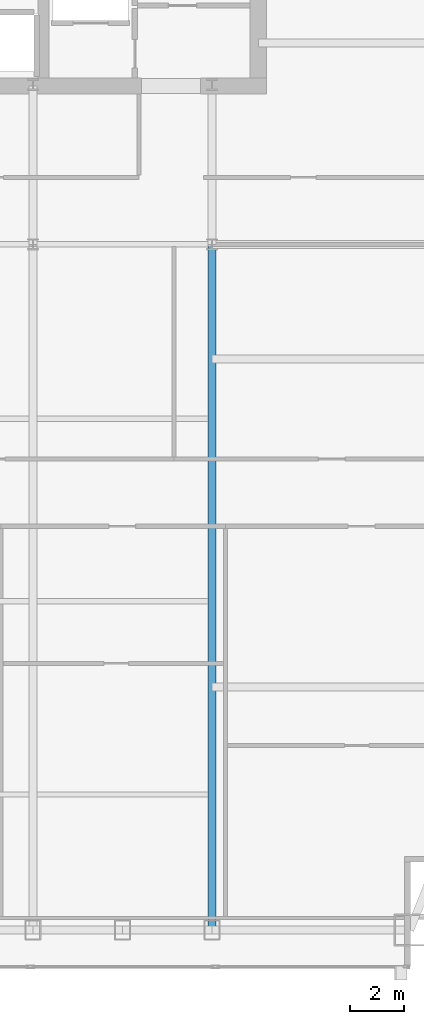
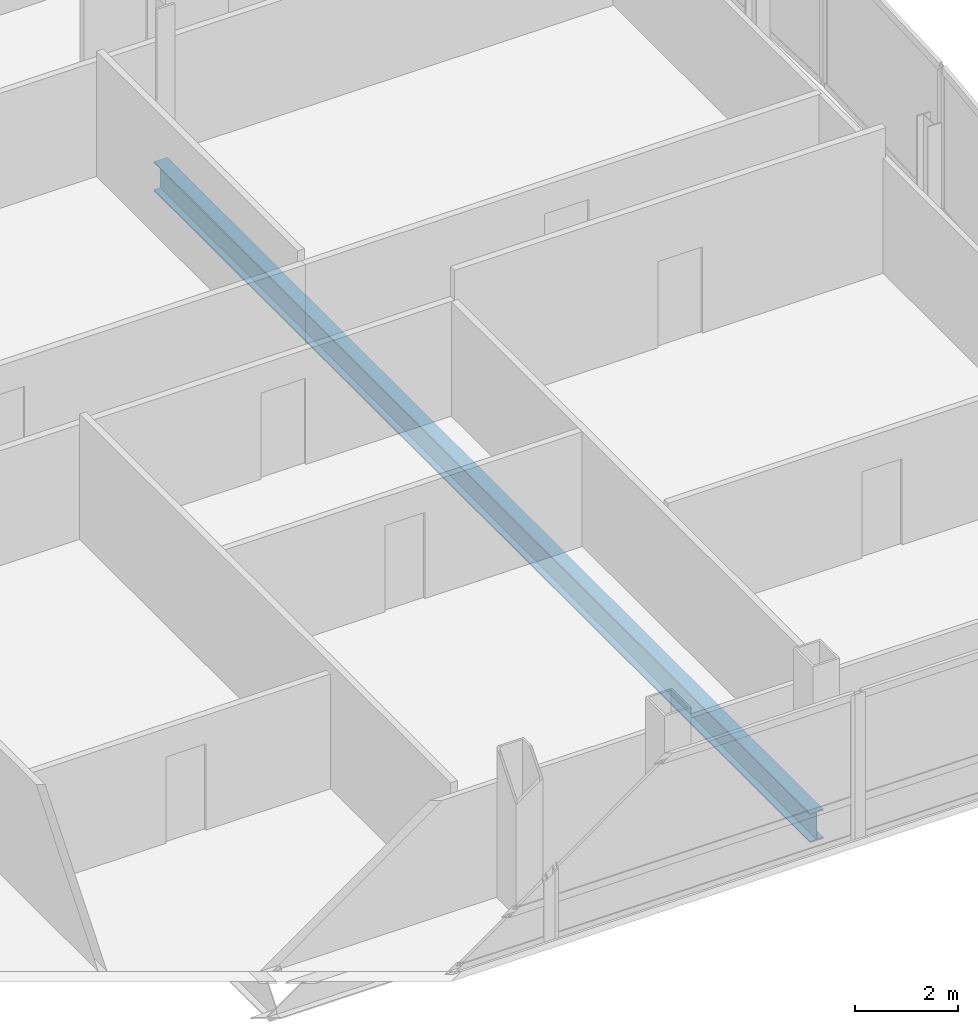
# One storey, part 17 of 32: 1 beam.
"""IFC4 building model written with IfcOpenShell, lengths in metres."""

from ifc_helpers import new_model, si_unit, direction, frame, origin, origin_2d, place, context, subcontext, project, spatial, i_section, extrude, material, material_profile, profile_set, type_object, element, save


model = new_model("IFC4")

# Units and contexts
model_context = context("Model", 3, precision=1e-05, world=origin(), true_north=direction((0.0, 1.0)))
body_context = subcontext(model_context, "Body", "Model", "MODEL_VIEW")
ifc_project = project(units=[si_unit("LENGTHUNIT", "METRE"), si_unit("AREAUNIT", "SQUARE_METRE"), si_unit("VOLUMEUNIT", "CUBIC_METRE"), si_unit("PLANEANGLEUNIT", "RADIAN"), si_unit("MASSUNIT", "GRAM", prefix="KILO")], contexts=[model_context])

# Site, building, storey
site_placement = place(None, origin())
site = spatial("IfcSite", under=ifc_project, at=site_placement, CompositionType="ELEMENT")
building_placement = place(site_placement, origin())
building = spatial("IfcBuilding", under=site, at=building_placement, Name="Khoronbel Lancet Exchange", CompositionType="ELEMENT")
storey_placement = place(building_placement, frame((0.0, 0.0, 192.199951171875)))
storey = spatial("IfcBuildingStorey", under=building, at=storey_placement, Name="L48", CompositionType="ELEMENT", Elevation=192.199951171875)

# Beam
ifc_material = material(Name="Steel S355", Category="steel")
ifc_material_profile = material_profile(ifc_material, i_section(OverallWidth=0.300048828125, OverallDepth=0.699951171875, WebThickness=0.01708984375, FlangeThickness=0.031982421875, at=origin_2d()), Name="HEB 700")
ifc_profile_set = profile_set([ifc_material_profile], Name="Steel S355")
beam_type = type_object("IfcBeamType", Name="BM-BG3", PredefinedType="BEAM", material=ifc_profile_set)
beam_placement = place(storey_placement, frame((54.675048828125, 10.14990234375, -0.510009765625), z_axis=(0.0, 1.0, 0.0), x_axis=(-1.0, 0.0, 0.0)))
element("IfcBeam", 1, at=beam_placement, inside=storey, type_object=beam_type, Name="Level L48 south primary girder GS6", PredefinedType="BEAM", context=body_context, shape_type="SweptSolid", body=[
    extrude(i_section(OverallWidth=0.300048828125, OverallDepth=0.699951171875, WebThickness=0.01708984375, FlangeThickness=0.031982421875, at=origin_2d()), origin(), (0.0, 0.0, 1.0), 25.550048828125),
])

save(model, "model.ifc")
